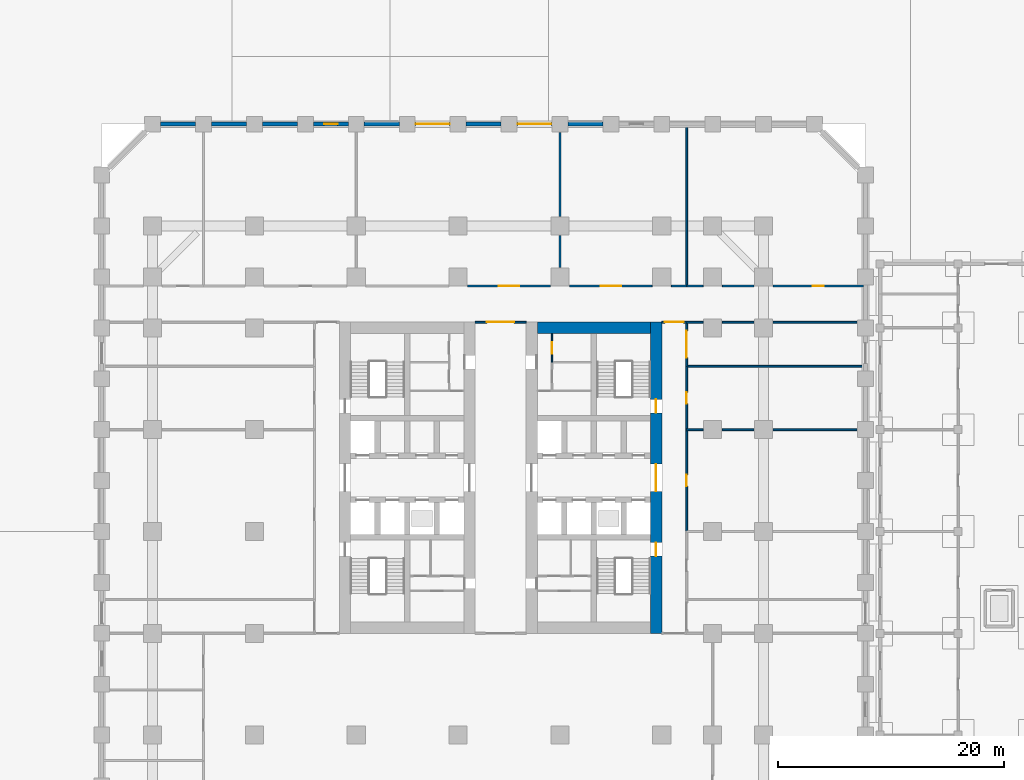
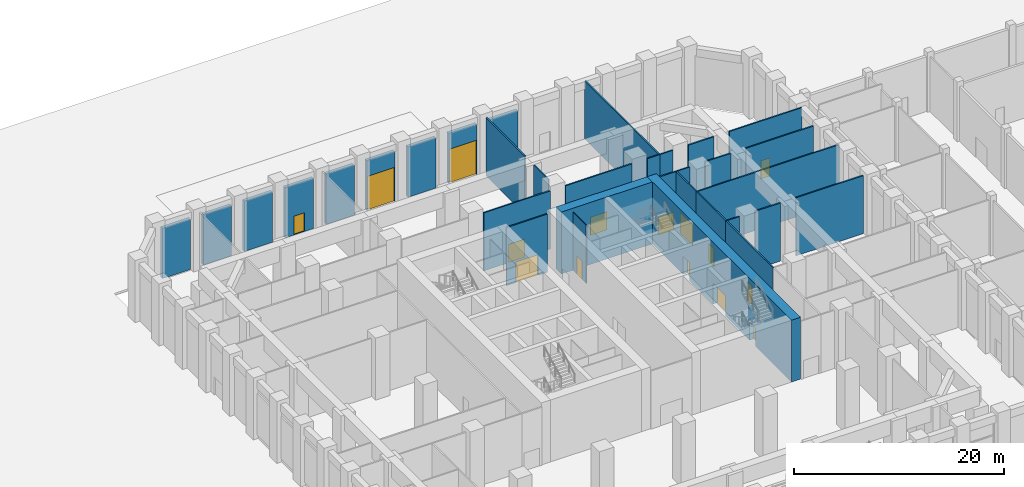
# One storey, part 15 of 30: 33 walls, 15 doors, 15 openings.
"""IFC4 building model written with IfcOpenShell, lengths in metres."""

from ifc_helpers import new_model, si_unit, direction, frame, frame_2d, origin, place, context, subcontext, project, spatial, rectangle, extrude, material, layer, layer_set, type_object, element, fill, save


model = new_model("IFC4")

# Units and contexts
model_context = context("Model", 3, precision=1e-05, world=origin(), true_north=direction((0.0, 1.0)))
body_context = subcontext(model_context, "Body", "Model", "MODEL_VIEW")
ifc_project = project(units=[si_unit("LENGTHUNIT", "METRE"), si_unit("AREAUNIT", "SQUARE_METRE"), si_unit("VOLUMEUNIT", "CUBIC_METRE"), si_unit("PLANEANGLEUNIT", "RADIAN"), si_unit("MASSUNIT", "GRAM", prefix="KILO")], contexts=[model_context])

# Site, building, storey
site_placement = place(None, origin())
site = spatial("IfcSite", under=ifc_project, at=site_placement, CompositionType="ELEMENT")
building_placement = place(site_placement, origin())
building = spatial("IfcBuilding", under=site, at=building_placement, Name="Corbel Stack Research Tower", CompositionType="ELEMENT")
storey_placement = place(building_placement, origin())
storey = spatial("IfcBuildingStorey", under=building, at=storey_placement, Name="L00", CompositionType="ELEMENT", Elevation=0.0)

# Wall, opening, door
ifc_material_1 = material(Name="Concrete block", Category="concrete")
ifc_layer_1 = layer(ifc_material_1, 0.14990234375)
ifc_layer_set_1 = layer_set([ifc_layer_1], Name="Concrete block")
wall_type_1 = type_object("IfcWallType", Name="Base partition 150 L00", PredefinedType="PARTITIONING", material=ifc_layer_set_1)
wall_1_placement = place(storey_placement, frame((20.199951171875, 0.0, 0.0), z_axis=(0.0, 0.0, 1.0), x_axis=(0.0, 1.0, 0.0)))
wall_1 = element("IfcWall", 1, at=wall_1_placement, inside=storey, type_object=wall_type_1, Name="Partition L00", PredefinedType="PARTITIONING", context=body_context, shape_type="SweptSolid", body=[
    extrude(rectangle(XDim=9.0, YDim=0.14990234375, at=frame_2d((4.5, 0.0))), origin(), (0.0, 0.0, 1.0), 6.75),
])
opening_1_placement = place(wall_1_placement, frame((4.0, 0.0, 0.0)))
opening_1 = element("IfcOpeningElement", 2, at=opening_1_placement, cuts=wall_1, Name="Opening BD-L00-08", PredefinedType="OPENING", context=body_context, shape_type="SweptSolid", body=[
    extrude(rectangle(XDim=1.0, YDim=2.10009765625, at=frame_2d((0.5, 1.050048828125))), frame((0.0, 0.0849609375, 0.0), z_axis=(0.0, -1.0, 0.0), x_axis=(1.0, 0.0, 0.0)), (0.0, 0.0, 1.0), 0.169921875),
])
ifc_material_2 = material(Name="Painted steel door", Category="steel")
door_type_1 = type_object("IfcDoorType", Name="Service door 1000 x 2100 FD60 right hand", OperationType="SINGLE_SWING_RIGHT", PredefinedType="DOOR", material=ifc_material_2)
door_1_placement = place(opening_1_placement, origin())
door_1 = element("IfcDoor", 3, at=door_1_placement, inside=storey, type_object=door_type_1, Name="Laboratory support store door", OperationType="SINGLE_SWING_RIGHT", OverallHeight=2.10009765625, OverallWidth=1.0, PredefinedType="DOOR", context=body_context, shape_type="SweptSolid", body=[
    extrude(rectangle(XDim=1.0, YDim=2.10009765625, at=frame_2d((0.5, 1.050048828125))), frame((0.0, 0.02490234375, 0.0), z_axis=(0.0, -1.0, 0.0), x_axis=(1.0, 0.0, 0.0)), (0.0, 0.0, 1.0), 0.050048828125),
])
fill(opening_1, door_1)

wall_2_placement = place(storey_placement, frame((20.199951171875, 9.0, 0.0), z_axis=(0.0, 0.0, 1.0), x_axis=(0.0, 1.0, 0.0)))
wall_2 = element("IfcWall", 4, at=wall_2_placement, inside=storey, type_object=wall_type_1, Name="Partition L00", PredefinedType="PARTITIONING", context=body_context, shape_type="SweptSolid", body=[
    extrude(rectangle(XDim=5.60009765625, YDim=0.14990234375, at=frame_2d((2.800048828125, 0.0))), origin(), (0.0, 0.0, 1.0), 6.75),
])
opening_2_placement = place(wall_2_placement, frame((2.300048828125, 0.0, 0.0)))
opening_2 = element("IfcOpeningElement", 5, at=opening_2_placement, cuts=wall_2, Name="Opening BD-L00-09", PredefinedType="OPENING", context=body_context, shape_type="SweptSolid", body=[
    extrude(rectangle(XDim=1.0, YDim=2.10009765625, at=frame_2d((0.5, 1.050048828125))), frame((0.0, 0.0849609375, 0.0), z_axis=(0.0, -1.0, 0.0), x_axis=(1.0, 0.0, 0.0)), (0.0, 0.0, 1.0), 0.169921875),
])
ifc_material_3 = material(Name="Painted steel door", Category="steel")
door_type_2 = type_object("IfcDoorType", Name="Riser door 1000 x 2100 FD60 left hand", OperationType="SINGLE_SWING_LEFT", PredefinedType="DOOR", material=ifc_material_3)
door_2_placement = place(opening_2_placement, origin())
door_2 = element("IfcDoor", 6, at=door_2_placement, inside=storey, type_object=door_type_2, Name="Electrical intake room door", OperationType="SINGLE_SWING_LEFT", OverallHeight=2.10009765625, OverallWidth=1.0, PredefinedType="DOOR", context=body_context, shape_type="SweptSolid", body=[
    extrude(rectangle(XDim=1.0, YDim=2.10009765625, at=frame_2d((0.5, 1.050048828125))), frame((0.0, 0.02490234375, 0.0), z_axis=(0.0, -1.0, 0.0), x_axis=(1.0, 0.0, 0.0)), (0.0, 0.0, 1.0), 0.050048828125),
])
fill(opening_2, door_2)

wall_3_placement = place(storey_placement, frame((20.199951171875, 14.60009765625, 0.0), z_axis=(0.0, 0.0, 1.0), x_axis=(0.0, 1.0, 0.0)))
wall_3 = element("IfcWall", 7, at=wall_3_placement, inside=storey, type_object=wall_type_1, Name="Partition L00", PredefinedType="PARTITIONING", context=body_context, shape_type="SweptSolid", body=[
    extrude(rectangle(XDim=3.89990234375, YDim=0.14990234375, at=frame_2d((1.949951171875, 0.0))), origin(), (0.0, 0.0, 1.0), 6.75),
])
opening_3_placement = place(wall_3_placement, frame((0.75, 0.0, 0.0)))
opening_3 = element("IfcOpeningElement", 8, at=opening_3_placement, cuts=wall_3, Name="Opening BD-L00-22", PredefinedType="OPENING", context=body_context, shape_type="SweptSolid", body=[
    extrude(rectangle(XDim=2.39990234375, YDim=2.39990234375, at=frame_2d((1.199951171875, 1.199951171875))), frame((0.0, 0.0849609375, 0.0), z_axis=(0.0, -1.0, 0.0), x_axis=(1.0, 0.0, 0.0)), (0.0, 0.0, 1.0), 0.169921875),
])
ifc_material_4 = material(Name="Painted steel fire door", Category="steel")
door_type_3 = type_object("IfcDoorType", Name="Lobby door pair 2400 x 2400 FD60", OperationType="DOUBLE_DOOR_DOUBLE_SWING", PredefinedType="DOOR", material=ifc_material_4)
door_3_placement = place(opening_3_placement, origin())
door_3 = element("IfcDoor", 9, at=door_3_placement, inside=storey, type_object=door_type_3, Name="Stair vestibule east to Exit passage ST-E2 opening", OperationType="DOUBLE_DOOR_DOUBLE_SWING", OverallHeight=2.39990234375, OverallWidth=2.39990234375, PredefinedType="DOOR", context=body_context, shape_type="SweptSolid", body=[
    extrude(rectangle(XDim=2.39990234375, YDim=2.39990234375, at=frame_2d((1.199951171875, 1.199951171875))), frame((0.0, 0.02490234375, 0.0), z_axis=(0.0, -1.0, 0.0), x_axis=(1.0, 0.0, 0.0)), (0.0, 0.0, 1.0), 0.050048828125),
])
fill(opening_3, door_3)

wall_4_placement = place(storey_placement, frame((18.0, 18.5, 0.0), z_axis=(0.0, 0.0, 1.0), x_axis=(1.0, 0.0, 0.0)))
wall_4 = element("IfcWall", 10, at=wall_4_placement, inside=storey, type_object=wall_type_1, Name="Partition L00", PredefinedType="PARTITIONING", context=body_context, shape_type="SweptSolid", body=[
    extrude(rectangle(XDim=2.199951171875, YDim=0.14990234375, at=frame_2d((1.10009765625, 0.0))), origin(), (0.0, 0.0, 1.0), 6.75),
])
opening_4_placement = place(wall_4_placement, frame((0.25, 0.0, 0.0)))
opening_4 = element("IfcOpeningElement", 11, at=opening_4_placement, cuts=wall_4, Name="Opening BD-L00-23", PredefinedType="OPENING", context=body_context, shape_type="SweptSolid", body=[
    extrude(rectangle(XDim=1.699951171875, YDim=2.10009765625, at=frame_2d((0.85009765625, 1.050048828125))), frame((0.0, 0.0849609375, 0.0), z_axis=(0.0, -1.0, 0.0), x_axis=(1.0, 0.0, 0.0)), (0.0, 0.0, 1.0), 0.169921875),
])
ifc_material_5 = material(Name="Painted steel fire door", Category="steel")
door_type_4 = type_object("IfcDoorType", Name="Lobby door pair 1700 x 2100 FD30S", OperationType="DOUBLE_DOOR_DOUBLE_SWING", PredefinedType="DOOR", material=ifc_material_5)
door_4_placement = place(opening_4_placement, origin())
door_4 = element("IfcDoor", 12, at=door_4_placement, inside=storey, type_object=door_type_4, Name="Stair vestibule east to Service corridor opening", OperationType="DOUBLE_DOOR_DOUBLE_SWING", OverallHeight=2.10009765625, OverallWidth=1.699951171875, PredefinedType="DOOR", context=body_context, shape_type="SweptSolid", body=[
    extrude(rectangle(XDim=1.699951171875, YDim=2.10009765625, at=frame_2d((0.85009765625, 1.050048828125))), frame((0.0, 0.02490234375, 0.0), z_axis=(0.0, -1.0, 0.0), x_axis=(1.0, 0.0, 0.0)), (0.0, 0.0, 1.0), 0.050048828125),
])
fill(opening_4, door_4)

wall_5_placement = place(storey_placement, frame((1.5, 18.5, 0.0), z_axis=(0.0, 0.0, 1.0), x_axis=(1.0, 0.0, 0.0)))
wall_5 = element("IfcWall", 13, at=wall_5_placement, inside=storey, type_object=wall_type_1, Name="Partition L00", PredefinedType="PARTITIONING", context=body_context, shape_type="SweptSolid", body=[
    extrude(rectangle(XDim=4.5, YDim=0.14990234375, at=frame_2d((2.25, 0.0))), origin(), (0.0, 0.0, 1.0), 6.75),
])
opening_5_placement = place(wall_5_placement, frame((1.050048828125, 0.0, 0.0)))
opening_5 = element("IfcOpeningElement", 14, at=opening_5_placement, cuts=wall_5, Name="Opening BD-L00-24", PredefinedType="OPENING", context=body_context, shape_type="SweptSolid", body=[
    extrude(rectangle(XDim=2.39990234375, YDim=2.39990234375, at=frame_2d((1.199951171875, 1.199951171875))), frame((0.0, 0.0849609375, 0.0), z_axis=(0.0, -1.0, 0.0), x_axis=(1.0, 0.0, 0.0)), (0.0, 0.0, 1.0), 0.169921875),
])
ifc_material_6 = material(Name="Painted steel fire door", Category="steel")
door_type_5 = type_object("IfcDoorType", Name="Lobby door pair 2400 x 2400 FD30S", OperationType="DOUBLE_DOOR_DOUBLE_SWING", PredefinedType="DOOR", material=ifc_material_6)
door_5_placement = place(opening_5_placement, origin())
door_5 = element("IfcDoor", 15, at=door_5_placement, inside=storey, type_object=door_type_5, Name="Central circulation to Service corridor opening", OperationType="DOUBLE_DOOR_DOUBLE_SWING", OverallHeight=2.39990234375, OverallWidth=2.39990234375, PredefinedType="DOOR", context=body_context, shape_type="SweptSolid", body=[
    extrude(rectangle(XDim=2.39990234375, YDim=2.39990234375, at=frame_2d((1.199951171875, 1.199951171875))), frame((0.0, 0.02490234375, 0.0), z_axis=(0.0, -1.0, 0.0), x_axis=(1.0, 0.0, 0.0)), (0.0, 0.0, 1.0), 0.050048828125),
])
fill(opening_5, door_5)

# Walls
wall_6_placement = place(storey_placement, frame((27.85009765625, 9.0, 0.0), z_axis=(0.0, 0.0, 1.0), x_axis=(1.0, 0.0, 0.0)))
element("IfcWall", 16, at=wall_6_placement, inside=storey, type_object=wall_type_1, Name="Partition L00", PredefinedType="PARTITIONING", context=body_context, shape_type="SweptSolid", body=[
    extrude(rectangle(XDim=7.39990234375, YDim=0.14990234375, at=frame_2d((3.699951171875, 0.0))), origin(), (0.0, 0.0, 1.0), 6.75),
])
wall_7_placement = place(storey_placement, frame((23.35009765625, 9.0, 0.0), z_axis=(0.0, 0.0, 1.0), x_axis=(1.0, 0.0, 0.0)))
element("IfcWall", 17, at=wall_7_placement, inside=storey, type_object=wall_type_1, Name="Partition L00", PredefinedType="PARTITIONING", context=body_context, shape_type="SweptSolid", body=[
    extrude(rectangle(XDim=2.7998046875, YDim=0.14990234375, at=frame_2d((1.39990234375, 0.0))), origin(), (0.0, 0.0, 1.0), 6.75),
])
wall_8_placement = place(storey_placement, frame((20.199951171875, 9.0, 0.0), z_axis=(0.0, 0.0, 1.0), x_axis=(1.0, 0.0, 0.0)))
element("IfcWall", 18, at=wall_8_placement, inside=storey, type_object=wall_type_1, Name="Partition L00", PredefinedType="PARTITIONING", context=body_context, shape_type="SweptSolid", body=[
    extrude(rectangle(XDim=1.449951171875, YDim=0.14990234375, at=frame_2d((0.72509765625, 0.0))), origin(), (0.0, 0.0, 1.0), 6.75),
])
wall_9_placement = place(storey_placement, frame((20.199951171875, 14.60009765625, 0.0), z_axis=(0.0, 0.0, 1.0), x_axis=(1.0, 0.0, 0.0)))
element("IfcWall", 19, at=wall_9_placement, inside=storey, type_object=wall_type_1, Name="Partition L00", PredefinedType="PARTITIONING", context=body_context, shape_type="SweptSolid", body=[
    extrude(rectangle(XDim=15.625, YDim=0.14990234375, at=frame_2d((7.8125, 0.0))), origin(), (0.0, 0.0, 1.0), 6.75),
])
wall_10_placement = place(storey_placement, frame((27.85009765625, 18.5, 0.0), z_axis=(0.0, 0.0, 1.0), x_axis=(1.0, 0.0, 0.0)))
element("IfcWall", 20, at=wall_10_placement, inside=storey, type_object=wall_type_1, Name="Partition L00", PredefinedType="PARTITIONING", context=body_context, shape_type="SweptSolid", body=[
    extrude(rectangle(XDim=7.39990234375, YDim=0.14990234375, at=frame_2d((3.699951171875, 0.0))), origin(), (0.0, 0.0, 1.0), 6.75),
])
wall_11_placement = place(storey_placement, frame((23.35009765625, 18.5, 0.0), z_axis=(0.0, 0.0, 1.0), x_axis=(1.0, 0.0, 0.0)))
element("IfcWall", 21, at=wall_11_placement, inside=storey, type_object=wall_type_1, Name="Partition L00", PredefinedType="PARTITIONING", context=body_context, shape_type="SweptSolid", body=[
    extrude(rectangle(XDim=2.7998046875, YDim=0.14990234375, at=frame_2d((1.39990234375, 0.0))), origin(), (0.0, 0.0, 1.0), 6.75),
])
wall_12_placement = place(storey_placement, frame((20.199951171875, 18.5, 0.0), z_axis=(0.0, 0.0, 1.0), x_axis=(1.0, 0.0, 0.0)))
element("IfcWall", 22, at=wall_12_placement, inside=storey, type_object=wall_type_1, Name="Partition L00", PredefinedType="PARTITIONING", context=body_context, shape_type="SweptSolid", body=[
    extrude(rectangle(XDim=1.449951171875, YDim=0.14990234375, at=frame_2d((0.72509765625, 0.0))), origin(), (0.0, 0.0, 1.0), 6.75),
])

# Wall, opening, door
wall_13_placement = place(storey_placement, frame((0.85009765625, 21.699951171875, 0.0), z_axis=(0.0, 0.0, 1.0), x_axis=(1.0, 0.0, 0.0)))
wall_13 = element("IfcWall", 23, at=wall_13_placement, inside=storey, type_object=wall_type_1, Name="Partition L00", PredefinedType="PARTITIONING", context=body_context, shape_type="SweptSolid", body=[
    extrude(rectangle(XDim=7.2998046875, YDim=0.14990234375, at=frame_2d((3.64990234375, 0.0))), origin(), (0.0, 0.0, 1.0), 6.75),
])
opening_6_placement = place(wall_13_placement, frame((2.75, 0.0, 0.0)))
opening_6 = element("IfcOpeningElement", 24, at=opening_6_placement, cuts=wall_13, Name="Opening BD-L00-12", PredefinedType="OPENING", context=body_context, shape_type="SweptSolid", body=[
    extrude(rectangle(XDim=1.800048828125, YDim=2.10009765625, at=frame_2d((0.89990234375, 1.050048828125))), frame((0.0, 0.0849609375, 0.0), z_axis=(0.0, -1.0, 0.0), x_axis=(1.0, 0.0, 0.0)), (0.0, 0.0, 1.0), 0.169921875),
])
ifc_material_7 = material(Name="Painted steel fire door", Category="steel")
door_type_6 = type_object("IfcDoorType", Name="Lobby door pair 1800 x 2100 FD60", OperationType="DOUBLE_DOOR_DOUBLE_SWING", PredefinedType="DOOR", material=ifc_material_7)
door_6_placement = place(opening_6_placement, origin())
door_6 = element("IfcDoor", 25, at=door_6_placement, inside=storey, type_object=door_type_6, Name="Loading dock with truck bay door", OperationType="DOUBLE_DOOR_DOUBLE_SWING", OverallHeight=2.10009765625, OverallWidth=1.800048828125, PredefinedType="DOOR", context=body_context, shape_type="SweptSolid", body=[
    extrude(rectangle(XDim=1.800048828125, YDim=2.10009765625, at=frame_2d((0.89990234375, 1.050048828125))), frame((0.0, 0.02490234375, 0.0), z_axis=(0.0, -1.0, 0.0), x_axis=(1.0, 0.0, 0.0)), (0.0, 0.0, 1.0), 0.050048828125),
])
fill(opening_6, door_6)

# Wall
wall_14_placement = place(storey_placement, frame((18.85009765625, 21.699951171875, 0.0), z_axis=(0.0, 0.0, 1.0), x_axis=(1.0, 0.0, 0.0)))
element("IfcWall", 26, at=wall_14_placement, inside=storey, type_object=wall_type_1, Name="Partition L00", PredefinedType="PARTITIONING", context=body_context, shape_type="SweptSolid", body=[
    extrude(rectangle(XDim=1.349853515625, YDim=0.14990234375, at=frame_2d((0.6748046875, 0.0))), origin(), (0.0, 0.0, 1.0), 6.75),
])

# Wall, opening, door
wall_15_placement = place(storey_placement, frame((9.85009765625, 21.699951171875, 0.0), z_axis=(0.0, 0.0, 1.0), x_axis=(1.0, 0.0, 0.0)))
wall_15 = element("IfcWall", 27, at=wall_15_placement, inside=storey, type_object=wall_type_1, Name="Partition L00", PredefinedType="PARTITIONING", context=body_context, shape_type="SweptSolid", body=[
    extrude(rectangle(XDim=7.2998046875, YDim=0.14990234375, at=frame_2d((3.64990234375, 0.0))), origin(), (0.0, 0.0, 1.0), 6.75),
])
opening_7_placement = place(wall_15_placement, frame((2.75, 0.0, 0.0)))
opening_7 = element("IfcOpeningElement", 28, at=opening_7_placement, cuts=wall_15, Name="Opening BD-L00-13", PredefinedType="OPENING", context=body_context, shape_type="SweptSolid", body=[
    extrude(rectangle(XDim=1.800048828125, YDim=2.10009765625, at=frame_2d((0.89990234375, 1.050048828125))), frame((0.0, 0.0849609375, 0.0), z_axis=(0.0, -1.0, 0.0), x_axis=(1.0, 0.0, 0.0)), (0.0, 0.0, 1.0), 0.169921875),
])
door_7_placement = place(opening_7_placement, origin())
door_7 = element("IfcDoor", 29, at=door_7_placement, inside=storey, type_object=door_type_6, Name="Refuse and recycling room door", OperationType="DOUBLE_DOOR_DOUBLE_SWING", OverallHeight=2.10009765625, OverallWidth=1.800048828125, PredefinedType="DOOR", context=body_context, shape_type="SweptSolid", body=[
    extrude(rectangle(XDim=1.800048828125, YDim=2.10009765625, at=frame_2d((0.89990234375, 1.050048828125))), frame((0.0, 0.02490234375, 0.0), z_axis=(0.0, -1.0, 0.0), x_axis=(1.0, 0.0, 0.0)), (0.0, 0.0, 1.0), 0.050048828125),
])
fill(opening_7, door_7)

wall_16_placement = place(storey_placement, frame((27.85009765625, 21.699951171875, 0.0), z_axis=(0.0, 0.0, 1.0), x_axis=(1.0, 0.0, 0.0)))
wall_16 = element("IfcWall", 30, at=wall_16_placement, inside=storey, type_object=wall_type_1, Name="Partition L00", PredefinedType="PARTITIONING", context=body_context, shape_type="SweptSolid", body=[
    extrude(rectangle(XDim=7.974853515625, YDim=0.14990234375, at=frame_2d((3.9873046875, 0.0))), origin(), (0.0, 0.0, 1.0), 6.75),
])
opening_8_placement = place(wall_16_placement, frame((3.487548828125, 0.0, 0.0)))
opening_8 = element("IfcOpeningElement", 31, at=opening_8_placement, cuts=wall_16, Name="Opening BD-L00-14", PredefinedType="OPENING", context=body_context, shape_type="SweptSolid", body=[
    extrude(rectangle(XDim=1.0, YDim=2.10009765625, at=frame_2d((0.5, 1.050048828125))), frame((0.0, 0.0849609375, 0.0), z_axis=(0.0, -1.0, 0.0), x_axis=(1.0, 0.0, 0.0)), (0.0, 0.0, 1.0), 0.169921875),
])
ifc_material_8 = material(Name="Painted timber door", Category="wood")
door_type_7 = type_object("IfcDoorType", Name="WC door 1000 x 2100 right hand", OperationType="SINGLE_SWING_RIGHT", PredefinedType="DOOR", material=ifc_material_8)
door_8_placement = place(opening_8_placement, origin())
door_8 = element("IfcDoor", 32, at=door_8_placement, inside=storey, type_object=door_type_7, Name="Driver and dock office door", OperationType="SINGLE_SWING_RIGHT", OverallHeight=2.10009765625, OverallWidth=1.0, PredefinedType="DOOR", context=body_context, shape_type="SweptSolid", body=[
    extrude(rectangle(XDim=1.0, YDim=2.10009765625, at=frame_2d((0.5, 1.050048828125))), frame((0.0, 0.02490234375, 0.0), z_axis=(0.0, -1.0, 0.0), x_axis=(1.0, 0.0, 0.0)), (0.0, 0.0, 1.0), 0.050048828125),
])
fill(opening_8, door_8)

# Walls
wall_17_placement = place(storey_placement, frame((23.35009765625, 21.699951171875, 0.0), z_axis=(0.0, 0.0, 1.0), x_axis=(1.0, 0.0, 0.0)))
element("IfcWall", 33, at=wall_17_placement, inside=storey, type_object=wall_type_1, Name="Partition L00", PredefinedType="PARTITIONING", context=body_context, shape_type="SweptSolid", body=[
    extrude(rectangle(XDim=2.7998046875, YDim=0.14990234375, at=frame_2d((1.39990234375, 0.0))), origin(), (0.0, 0.0, 1.0), 6.75),
])
wall_18_placement = place(storey_placement, frame((20.199951171875, 21.699951171875, 0.0), z_axis=(0.0, 0.0, 1.0), x_axis=(1.0, 0.0, 0.0)))
element("IfcWall", 34, at=wall_18_placement, inside=storey, type_object=wall_type_1, Name="Partition L00", PredefinedType="PARTITIONING", context=body_context, shape_type="SweptSolid", body=[
    extrude(rectangle(XDim=1.449951171875, YDim=0.14990234375, at=frame_2d((0.72509765625, 0.0))), origin(), (0.0, 0.0, 1.0), 6.75),
])
wall_19_placement = place(storey_placement, frame((9.0, 23.35009765625, 0.0), z_axis=(0.0, 0.0, 1.0), x_axis=(0.0, 1.0, 0.0)))
element("IfcWall", 35, at=wall_19_placement, inside=storey, type_object=wall_type_1, Name="Partition L00", PredefinedType="PARTITIONING", context=body_context, shape_type="SweptSolid", body=[
    extrude(rectangle(XDim=2.7998046875, YDim=0.14990234375, at=frame_2d((1.39990234375, 0.0))), origin(), (0.0, 0.0, 1.0), 6.75),
])
wall_20_placement = place(storey_placement, frame((9.0, 27.85009765625, 0.0), z_axis=(0.0, 0.0, 1.0), x_axis=(0.0, 1.0, 0.0)))
element("IfcWall", 36, at=wall_20_placement, inside=storey, type_object=wall_type_1, Name="Partition L00", PredefinedType="PARTITIONING", context=body_context, shape_type="SweptSolid", body=[
    extrude(rectangle(XDim=7.39990234375, YDim=0.14990234375, at=frame_2d((3.699951171875, 0.0))), origin(), (0.0, 0.0, 1.0), 6.75),
])
wall_21_placement = place(storey_placement, frame((20.199951171875, 21.699951171875, 0.0), z_axis=(0.0, 0.0, 1.0), x_axis=(0.0, 1.0, 0.0)))
element("IfcWall", 37, at=wall_21_placement, inside=storey, type_object=wall_type_1, Name="Partition L00", PredefinedType="PARTITIONING", context=body_context, shape_type="SweptSolid", body=[
    extrude(rectangle(XDim=14.125, YDim=0.14990234375, at=frame_2d((7.0625, 0.0))), origin(), (0.0, 0.0, 1.0), 6.75),
])
ifc_material_9 = material(Name="Concrete C45/55", Category="concrete")
ifc_layer_2 = layer(ifc_material_9, 0.35009765625)
ifc_layer_set_2 = layer_set([ifc_layer_2], Name="Concrete C45/55")
wall_type_2 = type_object("IfcWallType", Name="Board-marked concrete wall 350", PredefinedType="SOLIDWALL", material=ifc_layer_set_2)
wall_22_placement = place(storey_placement, frame((9.699951171875, 36.0, 0.0), z_axis=(0.0, 0.0, 1.0), x_axis=(1.0, 0.0, 0.0)))
element("IfcWall", 38, at=wall_22_placement, inside=storey, type_object=wall_type_2, Name="Facade wall L00 N05", PredefinedType="SOLIDWALL", context=body_context, shape_type="SweptSolid", body=[
    extrude(rectangle(XDim=3.10009765625, YDim=0.35009765625, at=frame_2d((1.550048828125, 0.0))), origin(), (0.0, 0.0, 1.0), 5.85009765625),
])

# Wall, opening, door
wall_23_placement = place(storey_placement, frame((5.199951171875, 36.0, 0.0), z_axis=(0.0, 0.0, 1.0), x_axis=(1.0, 0.0, 0.0)))
wall_23 = element("IfcWall", 39, at=wall_23_placement, inside=storey, type_object=wall_type_2, Name="Facade wall L00 N06", PredefinedType="SOLIDWALL", context=body_context, shape_type="SweptSolid", body=[
    extrude(rectangle(XDim=3.10009765625, YDim=0.35009765625, at=frame_2d((1.550048828125, 0.0))), origin(), (0.0, 0.0, 1.0), 5.85009765625),
])
opening_9_placement = place(wall_23_placement, frame((0.050048828125, 0.0, 0.0)))
opening_9 = element("IfcOpeningElement", 40, at=opening_9_placement, cuts=wall_23, Name="Opening DD-1", PredefinedType="OPENING", context=body_context, shape_type="SweptSolid", body=[
    extrude(rectangle(XDim=3.0, YDim=4.0, at=frame_2d((1.5, 2.0))), frame((0.0, 0.18505859375, 0.0), z_axis=(0.0, -1.0, 0.0), x_axis=(1.0, 0.0, 0.0)), (0.0, 0.0, 1.0), 0.3701171875),
])
ifc_material_10 = material(Name="Steel roller shutter", Category="steel")
door_type_8 = type_object("IfcDoorType", Name="Roller shutter door DD 3000 x 4000", OperationType="ROLLINGUP", PredefinedType="DOOR", material=ifc_material_10)
door_9_placement = place(opening_9_placement, origin())
door_9 = element("IfcDoor", 41, at=door_9_placement, inside=storey, type_object=door_type_8, Name="Loading dock door DD-1", OperationType="SINGLE_SWING_LEFT", OverallHeight=4.0, OverallWidth=3.0, PredefinedType="DOOR", context=body_context, shape_type="SweptSolid", body=[
    extrude(rectangle(XDim=3.0, YDim=4.0, at=frame_2d((1.5, 2.0))), frame((0.0, 0.02490234375, 0.0), z_axis=(0.0, -1.0, 0.0), x_axis=(1.0, 0.0, 0.0)), (0.0, 0.0, 1.0), 0.050048828125),
])
fill(opening_9, door_9)

# Wall
wall_24_placement = place(storey_placement, frame((0.699951171875, 36.0, 0.0), z_axis=(0.0, 0.0, 1.0), x_axis=(1.0, 0.0, 0.0)))
element("IfcWall", 42, at=wall_24_placement, inside=storey, type_object=wall_type_2, Name="Facade wall L00 N07", PredefinedType="SOLIDWALL", context=body_context, shape_type="SweptSolid", body=[
    extrude(rectangle(XDim=3.10009765625, YDim=0.35009765625, at=frame_2d((1.550048828125, 0.0))), origin(), (0.0, 0.0, 1.0), 5.85009765625),
])

# Wall, opening, door
wall_25_placement = place(storey_placement, frame((-3.800048828125, 36.0, 0.0), z_axis=(0.0, 0.0, 1.0), x_axis=(1.0, 0.0, 0.0)))
wall_25 = element("IfcWall", 43, at=wall_25_placement, inside=storey, type_object=wall_type_2, Name="Facade wall L00 N08", PredefinedType="SOLIDWALL", context=body_context, shape_type="SweptSolid", body=[
    extrude(rectangle(XDim=3.10009765625, YDim=0.35009765625, at=frame_2d((1.550048828125, 0.0))), origin(), (0.0, 0.0, 1.0), 5.85009765625),
])
opening_10_placement = place(wall_25_placement, frame((0.050048828125, 0.0, 0.0)))
opening_10 = element("IfcOpeningElement", 44, at=opening_10_placement, cuts=wall_25, Name="Opening DD-2", PredefinedType="OPENING", context=body_context, shape_type="SweptSolid", body=[
    extrude(rectangle(XDim=3.0, YDim=4.0, at=frame_2d((1.5, 2.0))), frame((0.0, 0.18505859375, 0.0), z_axis=(0.0, -1.0, 0.0), x_axis=(1.0, 0.0, 0.0)), (0.0, 0.0, 1.0), 0.3701171875),
])
door_10_placement = place(opening_10_placement, origin())
door_10 = element("IfcDoor", 45, at=door_10_placement, inside=storey, type_object=door_type_8, Name="Loading dock door DD-2", OperationType="SINGLE_SWING_LEFT", OverallHeight=4.0, OverallWidth=3.0, PredefinedType="DOOR", context=body_context, shape_type="SweptSolid", body=[
    extrude(rectangle(XDim=3.0, YDim=4.0, at=frame_2d((1.5, 2.0))), frame((0.0, 0.02490234375, 0.0), z_axis=(0.0, -1.0, 0.0), x_axis=(1.0, 0.0, 0.0)), (0.0, 0.0, 1.0), 0.050048828125),
])
fill(opening_10, door_10)

# Wall
wall_26_placement = place(storey_placement, frame((-8.300048828125, 36.0, 0.0), z_axis=(0.0, 0.0, 1.0), x_axis=(1.0, 0.0, 0.0)))
element("IfcWall", 46, at=wall_26_placement, inside=storey, type_object=wall_type_2, Name="Facade wall L00 N09", PredefinedType="SOLIDWALL", context=body_context, shape_type="SweptSolid", body=[
    extrude(rectangle(XDim=3.10009765625, YDim=0.35009765625, at=frame_2d((1.550048828125, 0.0))), origin(), (0.0, 0.0, 1.0), 5.85009765625),
])

# Wall, opening, door
wall_27_placement = place(storey_placement, frame((-12.800048828125, 36.0, 0.0), z_axis=(0.0, 0.0, 1.0), x_axis=(1.0, 0.0, 0.0)))
wall_27 = element("IfcWall", 47, at=wall_27_placement, inside=storey, type_object=wall_type_2, Name="Facade wall L00 N10", PredefinedType="SOLIDWALL", context=body_context, shape_type="SweptSolid", body=[
    extrude(rectangle(XDim=3.10009765625, YDim=0.35009765625, at=frame_2d((1.550048828125, 0.0))), origin(), (0.0, 0.0, 1.0), 5.85009765625),
])
opening_11_placement = place(wall_27_placement, frame((0.949951171875, 0.0, 0.0)))
opening_11 = element("IfcOpeningElement", 48, at=opening_11_placement, cuts=wall_27, Name="Opening EX-5", PredefinedType="OPENING", context=body_context, shape_type="SweptSolid", body=[
    extrude(rectangle(XDim=1.199951171875, YDim=2.199951171875, at=frame_2d((0.60009765625, 1.10009765625))), frame((0.0, 0.18505859375, 0.0), z_axis=(0.0, -1.0, 0.0), x_axis=(1.0, 0.0, 0.0)), (0.0, 0.0, 1.0), 0.3701171875),
])
ifc_material_11 = material(Name="Steel door leaf, painted", Category="steel")
door_type_9 = type_object("IfcDoorType", Name="Exit door EX 1200 x 2200", OperationType="NOTDEFINED", PredefinedType="DOOR", material=ifc_material_11)
door_11_placement = place(opening_11_placement, origin())
door_11 = element("IfcDoor", 49, at=door_11_placement, inside=storey, type_object=door_type_9, Name="Exit door EX-5", OperationType="SINGLE_SWING_LEFT", OverallHeight=2.199951171875, OverallWidth=1.199951171875, PredefinedType="DOOR", context=body_context, shape_type="SweptSolid", body=[
    extrude(rectangle(XDim=1.199951171875, YDim=2.199951171875, at=frame_2d((0.60009765625, 1.10009765625))), frame((0.0, 0.02490234375, 0.0), z_axis=(0.0, -1.0, 0.0), x_axis=(1.0, 0.0, 0.0)), (0.0, 0.0, 1.0), 0.050048828125),
])
fill(opening_11, door_11)

# Walls
for number, where, z_axis, x_axis, name in (
    (50, (-17.300048828125, 36.0, 0.0), (0.0, 0.0, 1.0), (1.0, 0.0, 0.0), "Facade wall L00 N11"),
    (51, (-21.800048828125, 36.0, 0.0), (0.0, 0.0, 1.0), (1.0, 0.0, 0.0), "Facade wall L00 N12"),
    (52, (-26.300048828125, 36.0, 0.0), (0.0, 0.0, 1.0), (1.0, 0.0, 0.0), "Facade wall L00 N13"),
):
    element("IfcWall", number, at=place(storey_placement, frame(where, z_axis=z_axis, x_axis=x_axis)), inside=storey, type_object=wall_type_2, Name=name, PredefinedType="SOLIDWALL", context=body_context, shape_type="SweptSolid", body=[
        extrude(rectangle(XDim=3.10009765625, YDim=0.35009765625, at=frame_2d((1.550048828125, 0.0))), origin(), (0.0, 0.0, 1.0), 5.85009765625),
    ])

# Wall, openings, doors
ifc_material_12 = material(Name="Concrete C70/85", Category="concrete")
ifc_layer_3 = layer(ifc_material_12, 1.0)
ifc_layer_set_3 = layer_set([ifc_layer_3], Name="Concrete C70/85")
wall_type_3 = type_object("IfcWallType", Name="CW-1000-70", PredefinedType="SHEAR", material=ifc_layer_set_3)
wall_28_placement = place(storey_placement, frame((17.5, -9.0, 0.0), z_axis=(0.0, 0.0, 1.0), x_axis=(0.0, 1.0, 0.0)))
wall_28 = element("IfcWall", 53, at=wall_28_placement, inside=storey, type_object=wall_type_3, Name="East core wall, east face L00", PredefinedType="SHEAR", context=body_context, shape_type="SweptSolid", body=[
    extrude(rectangle(XDim=27.5, YDim=1.0, at=frame_2d((13.75, 0.0))), origin(), (0.0, 0.0, 1.0), 7.199951171875),
])
opening_12_placement = place(wall_28_placement, frame((12.550048828125, 0.0, 0.0)))
opening_12 = element("IfcOpeningElement", 54, at=opening_12_placement, cuts=wall_28, Name="Opening CD-E-E", PredefinedType="OPENING", context=body_context, shape_type="SweptSolid", body=[
    extrude(rectangle(XDim=2.39990234375, YDim=2.39990234375, at=frame_2d((1.199951171875, 1.199951171875))), frame((0.0, 0.510009765625, 0.0), z_axis=(0.0, -1.0, 0.0), x_axis=(1.0, 0.0, 0.0)), (0.0, 0.0, 1.0), 1.02001953125),
])
opening_13_placement = place(wall_28_placement, frame((6.824951171875, 0.0, 0.0)))
opening_13 = element("IfcOpeningElement", 55, at=opening_13_placement, cuts=wall_28, Name="Opening SD-ST-E1", PredefinedType="OPENING", context=body_context, shape_type="SweptSolid", body=[
    extrude(rectangle(XDim=1.199951171875, YDim=2.10009765625, at=frame_2d((0.60009765625, 1.050048828125))), frame((0.0, 0.510009765625, 0.0), z_axis=(0.0, -1.0, 0.0), x_axis=(1.0, 0.0, 0.0)), (0.0, 0.0, 1.0), 1.02001953125),
])
opening_14_placement = place(wall_28_placement, frame((19.47509765625, 0.0, 0.0)))
opening_14 = element("IfcOpeningElement", 56, at=opening_14_placement, cuts=wall_28, Name="Opening SD-ST-E2", PredefinedType="OPENING", context=body_context, shape_type="SweptSolid", body=[
    extrude(rectangle(XDim=1.199951171875, YDim=2.10009765625, at=frame_2d((0.60009765625, 1.050048828125))), frame((0.0, 0.510009765625, 0.0), z_axis=(0.0, -1.0, 0.0), x_axis=(1.0, 0.0, 0.0)), (0.0, 0.0, 1.0), 1.02001953125),
])
door_12_placement = place(opening_12_placement, origin())
door_12 = element("IfcDoor", 57, at=door_12_placement, inside=storey, type_object=door_type_5, Name="Lift lobby door E core E", OperationType="DOUBLE_DOOR_DOUBLE_SWING", OverallHeight=2.39990234375, OverallWidth=2.39990234375, PredefinedType="DOOR", context=body_context, shape_type="SweptSolid", body=[
    extrude(rectangle(XDim=2.39990234375, YDim=2.39990234375, at=frame_2d((1.199951171875, 1.199951171875))), frame((0.0, 0.02490234375, 0.0), z_axis=(0.0, -1.0, 0.0), x_axis=(1.0, 0.0, 0.0)), (0.0, 0.0, 1.0), 0.050048828125),
])
fill(opening_12, door_12)
ifc_material_13 = material(Name="Painted steel fire door", Category="steel")
door_type_10 = type_object("IfcDoorType", Name="Stair door 1200 x 2100 FD90 right hand", OperationType="SINGLE_SWING_RIGHT", PredefinedType="DOOR", material=ifc_material_13)
door_13_placement = place(opening_13_placement, frame((1.199951171875, 0.0, 0.0), z_axis=(0.0, 0.0, 1.0), x_axis=(-1.0, 0.0, 0.0)))
door_13 = element("IfcDoor", 58, at=door_13_placement, inside=storey, type_object=door_type_10, Name="Stair door ST-E1", OperationType="SINGLE_SWING_LEFT", OverallHeight=2.10009765625, OverallWidth=1.199951171875, PredefinedType="DOOR", context=body_context, shape_type="SweptSolid", body=[
    extrude(rectangle(XDim=1.199951171875, YDim=2.10009765625, at=frame_2d((0.60009765625, 1.050048828125))), frame((0.0, 0.02490234375, 0.0), z_axis=(0.0, -1.0, 0.0), x_axis=(1.0, 0.0, 0.0)), (0.0, 0.0, 1.0), 0.050048828125),
])
fill(opening_13, door_13)
door_14_placement = place(opening_14_placement, frame((1.199951171875, 0.0, 0.0), z_axis=(0.0, 0.0, 1.0), x_axis=(-1.0, 0.0, 0.0)))
door_14 = element("IfcDoor", 59, at=door_14_placement, inside=storey, type_object=door_type_10, Name="Stair door ST-E2", OperationType="SINGLE_SWING_LEFT", OverallHeight=2.10009765625, OverallWidth=1.199951171875, PredefinedType="DOOR", context=body_context, shape_type="SweptSolid", body=[
    extrude(rectangle(XDim=1.199951171875, YDim=2.10009765625, at=frame_2d((0.60009765625, 1.050048828125))), frame((0.0, 0.02490234375, 0.0), z_axis=(0.0, -1.0, 0.0), x_axis=(1.0, 0.0, 0.0)), (0.0, 0.0, 1.0), 0.050048828125),
])
fill(opening_14, door_14)

# Wall
wall_29_placement = place(storey_placement, frame((7.0, 18.0, 0.0), z_axis=(0.0, 0.0, 1.0), x_axis=(1.0, 0.0, 0.0)))
element("IfcWall", 60, at=wall_29_placement, inside=storey, type_object=wall_type_3, Name="East core wall, north end L00", PredefinedType="SHEAR", context=body_context, shape_type="SweptSolid", body=[
    extrude(rectangle(XDim=10.0, YDim=1.0, at=frame_2d((5.0, 0.0))), origin(), (0.0, 0.0, 1.0), 7.199951171875),
])

# Wall, opening, door
ifc_material_14 = material(Name="Gypsum board")
ifc_layer_4 = layer(ifc_material_14, 0.10009765625)
ifc_layer_set_4 = layer_set([ifc_layer_4], Name="Gypsum board")
wall_type_4 = type_object("IfcWallType", Name="Core partition 100", PredefinedType="PARTITIONING", material=ifc_layer_set_4)
wall_30_placement = place(storey_placement, frame((8.300048828125, 14.96240234375, 0.0), z_axis=(0.0, 0.0, 1.0), x_axis=(0.0, 1.0, 0.0)))
wall_30 = element("IfcWall", 61, at=wall_30_placement, inside=storey, type_object=wall_type_4, Name="Core partition E", PredefinedType="PARTITIONING", context=body_context, shape_type="SweptSolid", body=[
    extrude(rectangle(XDim=2.53759765625, YDim=0.10009765625, at=frame_2d((1.268798828125, 0.0))), origin(), (0.0, 0.0, 1.0), 6.75),
])
opening_15_placement = place(wall_30_placement, frame((0.768798828125, 0.0, 0.0)))
opening_15 = element("IfcOpeningElement", 62, at=opening_15_placement, cuts=wall_30, Name="Opening CR-E24-R4-1000", PredefinedType="OPENING", context=body_context, shape_type="SweptSolid", body=[
    extrude(rectangle(XDim=1.0, YDim=2.10009765625, at=frame_2d((0.5, 1.050048828125))), frame((0.0, 0.06005859375, 0.0), z_axis=(0.0, -1.0, 0.0), x_axis=(1.0, 0.0, 0.0)), (0.0, 0.0, 1.0), 0.1201171875),
])
ifc_material_15 = material(Name="Painted steel door", Category="steel")
door_type_11 = type_object("IfcDoorType", Name="Service door 1000 x 2100 FD30 left hand", OperationType="SINGLE_SWING_LEFT", PredefinedType="DOOR", material=ifc_material_15)
door_15_placement = place(opening_15_placement, origin())
door_15 = element("IfcDoor", 63, at=door_15_placement, inside=storey, type_object=door_type_11, Name="Copy and supply store door E core", OperationType="SINGLE_SWING_LEFT", OverallHeight=2.10009765625, OverallWidth=1.0, PredefinedType="DOOR", context=body_context, shape_type="SweptSolid", body=[
    extrude(rectangle(XDim=1.0, YDim=2.10009765625, at=frame_2d((0.5, 1.050048828125))), frame((0.0, 0.02490234375, 0.0), z_axis=(0.0, -1.0, 0.0), x_axis=(1.0, 0.0, 0.0)), (0.0, 0.0, 1.0), 0.050048828125),
])
fill(opening_15, door_15)

save(model, "model.ifc")
